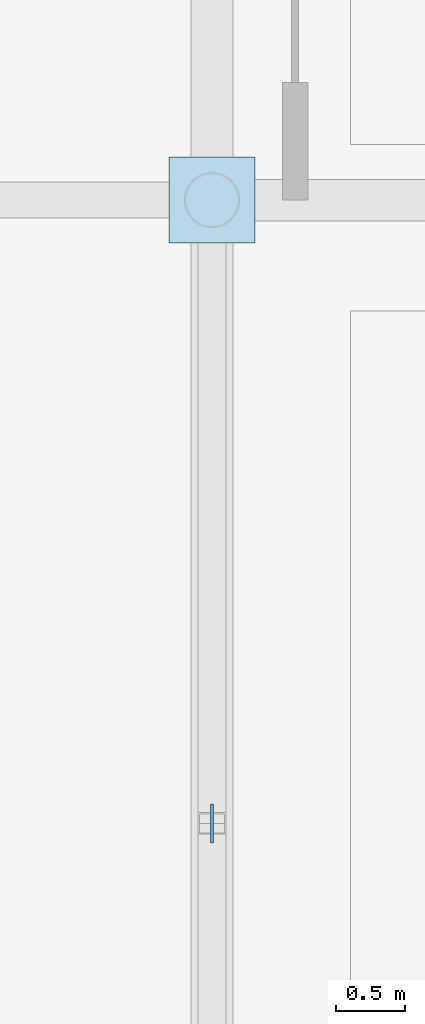
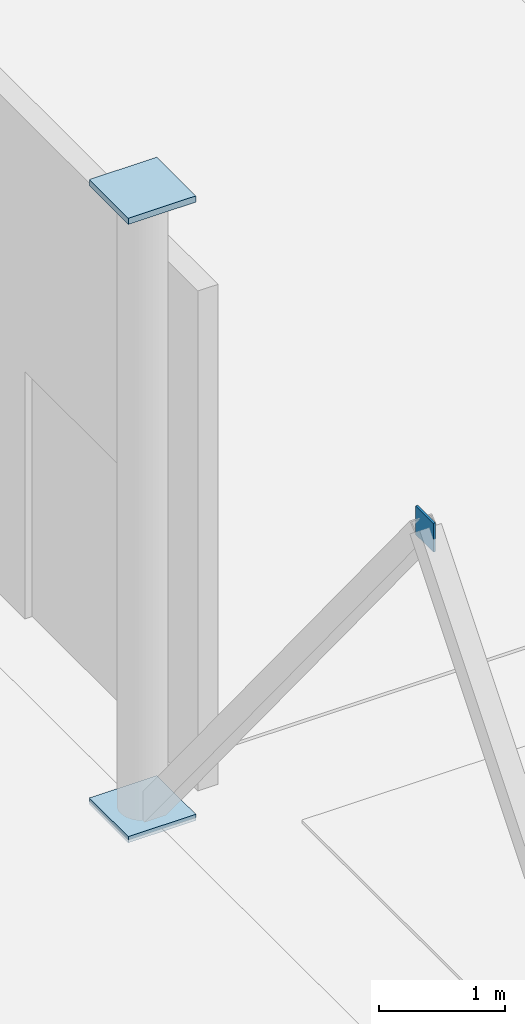
# One storey, part 171 of 211: 3 plates.
"""IFC4 building model written with IfcOpenShell, lengths in metres."""

from ifc_helpers import new_model, si_unit, direction, frame, origin, origin_2d, place, context, subcontext, project, spatial, rectangle, extrude, material, layer, layer_set, type_object, element, save


model = new_model("IFC4")

# Units and contexts
model_context = context("Model", 3, precision=1e-05, world=origin(), true_north=direction((0.0, 1.0)))
body_context = subcontext(model_context, "Body", "Model", "MODEL_VIEW")
ifc_project = project(units=[si_unit("LENGTHUNIT", "METRE"), si_unit("AREAUNIT", "SQUARE_METRE"), si_unit("VOLUMEUNIT", "CUBIC_METRE"), si_unit("PLANEANGLEUNIT", "RADIAN"), si_unit("MASSUNIT", "GRAM", prefix="KILO")], contexts=[model_context])

# Site, building, storey
site_placement = place(None, origin())
site = spatial("IfcSite", under=ifc_project, at=site_placement, CompositionType="ELEMENT")
building_placement = place(site_placement, origin())
building = spatial("IfcBuilding", under=site, at=building_placement, Name="Barlavento Convention Centre", CompositionType="ELEMENT")
storey_placement = place(building_placement, frame((0.0, 0.0, 6.0)))
storey = spatial("IfcBuildingStorey", under=building, at=storey_placement, Name="L01", CompositionType="ELEMENT", Elevation=6.0)

# Plates
ifc_material = material(Name="Steel S355", Category="steel")
ifc_layer_1 = layer(ifc_material, 0.02001953125)
ifc_layer_set_1 = layer_set([ifc_layer_1], Name="STR-PLT-CAP-280")
plate_type_1 = type_object("IfcPlateType", Name="STR-PLT-CAP-280", PredefinedType="SHEET", material=ifc_layer_set_1)
plate_placement = place(storey_placement, frame((126.0, 58.5, 5.31005859375), z_axis=(0.0, 0.0, 1.0), x_axis=(1.0, 0.0, 0.0)))
element("IfcPlate", 1, at=plate_placement, inside=storey, type_object=plate_type_1, Name="Chevron brace gusset splice plate EC03", PredefinedType="SHEET", context=body_context, shape_type="SweptSolid", body=[
    extrude(rectangle(XDim=0.02001953125, YDim=0.280029296875, at=origin_2d()), origin(), (0.0, 0.0, 1.0), 0.280029296875),
])
ifc_layer_2 = layer(ifc_material, 0.06005859375)
ifc_layer_set_2 = layer_set([ifc_layer_2], Name="STR-PLT-CAP-620")
plate_type_2 = type_object("IfcPlateType", Name="STR-PLT-CAP-620", PredefinedType="SHEET", material=ifc_layer_set_2)
for number, where, z_axis, x_axis, name in (
    (2, (126.0, 63.0, 5.969970703125), (0.0, 0.0, 1.0), (1.0, 0.0, 0.0), "Hollow column sealing end-cap plate EC04"),
    (3, (126.0, 63.0, -0.030029296875), (0.0, 0.0, 1.0), (1.0, 0.0, 0.0), "Hollow column sealing end-cap plate EC04"),
):
    element("IfcPlate", number, at=place(storey_placement, frame(where, z_axis=z_axis, x_axis=x_axis)), inside=storey, type_object=plate_type_2, Name=name, PredefinedType="SHEET", context=body_context, shape_type="SweptSolid", body=[
        extrude(rectangle(XDim=0.6201171875, YDim=0.6201171875, at=origin_2d()), origin(), (0.0, 0.0, 1.0), 0.06005859375),
    ])

save(model, "model.ifc")
